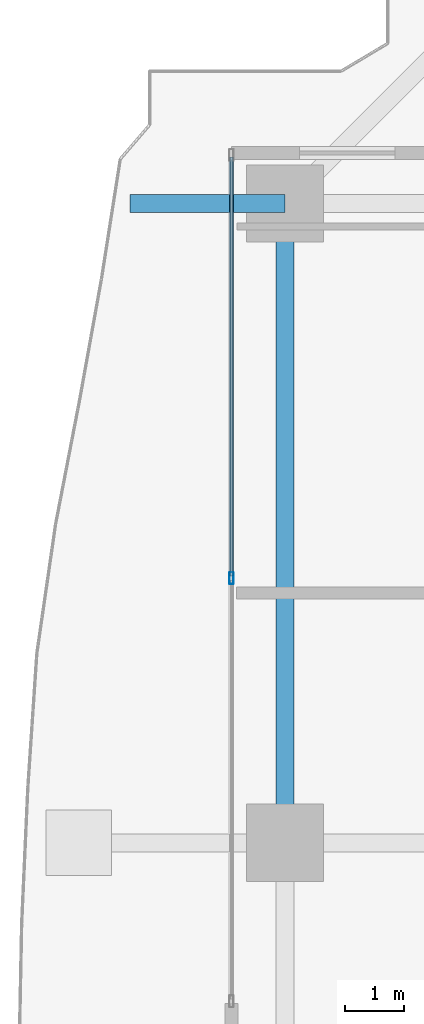
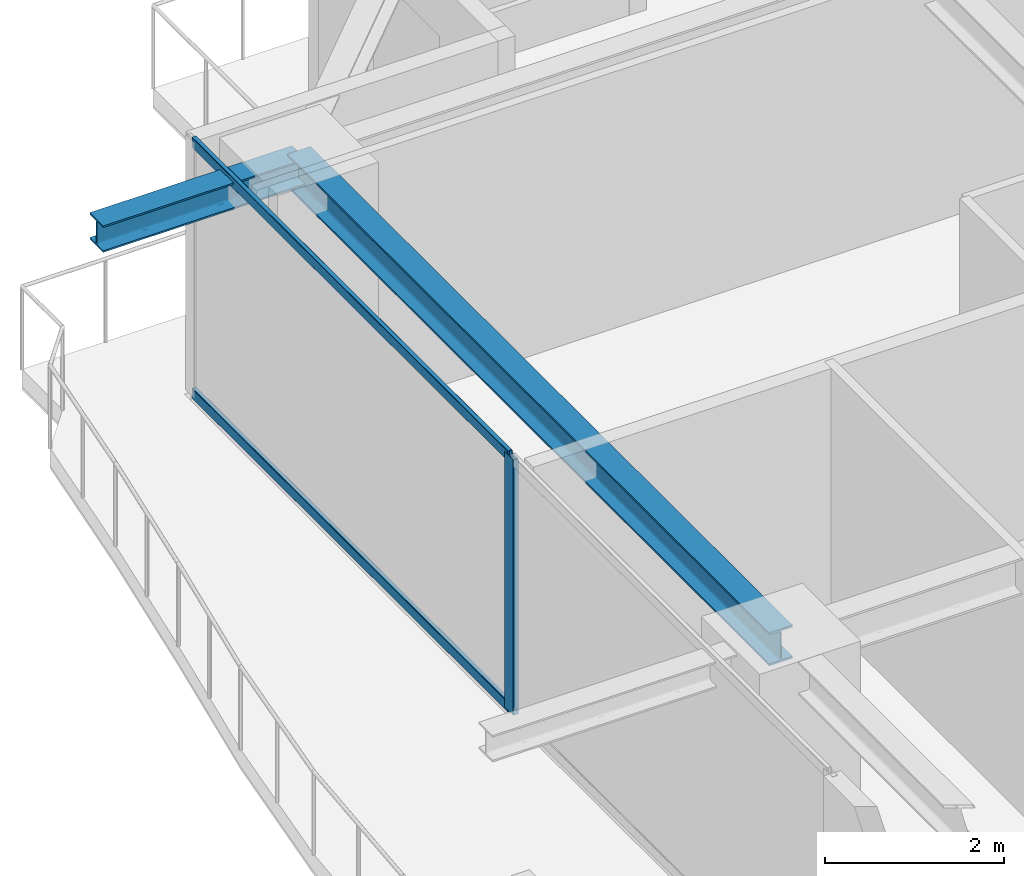
# One storey, part 17 of 39: 3 members, 2 beams, 1 element without a shape of its own.
"""IFC4 building model written with IfcOpenShell, lengths in metres."""

from ifc_helpers import new_model, si_unit, direction, frame, origin, origin_2d, place, context, subcontext, project, spatial, hollow_rectangle, i_section, extrude, source, transform, mapped, material, layer, layer_set, material_profile, profile_set, type_object, element, aggregate, save


model = new_model("IFC4")

# Units and contexts
model_context = context("Model", 3, precision=1e-05, world=origin(), true_north=direction((0.0, 1.0)))
body_context = subcontext(model_context, "Body", "Model", "MODEL_VIEW")
ifc_project = project(units=[si_unit("LENGTHUNIT", "METRE"), si_unit("AREAUNIT", "SQUARE_METRE"), si_unit("VOLUMEUNIT", "CUBIC_METRE"), si_unit("PLANEANGLEUNIT", "RADIAN"), si_unit("MASSUNIT", "GRAM", prefix="KILO")], contexts=[model_context])

# Site, building, storey
site_placement = place(None, origin())
site = spatial("IfcSite", under=ifc_project, at=site_placement, CompositionType="ELEMENT")
building_placement = place(site_placement, origin())
building = spatial("IfcBuilding", under=site, at=building_placement, Name="Serunith Strait Residences", CompositionType="ELEMENT")
storey_placement = place(building_placement, frame((0.0, 0.0, 168.89990234375)))
storey = spatial("IfcBuildingStorey", under=building, at=storey_placement, Name="L42", CompositionType="ELEMENT", Elevation=168.89990234375)

# Beams
ifc_material_1 = material(Name="Steel S355J2", Category="steel")
ifc_material_profile_1 = material_profile(ifc_material_1, i_section(OverallWidth=0.300048828125, OverallDepth=0.449951171875, WebThickness=0.013916015625, FlangeThickness=0.02587890625, FilletRadius=0.027099609375, at=origin_2d()), Name="HEB 450")
ifc_profile_set_1 = profile_set([ifc_material_profile_1], Name="Steel S355J2")
beam_type_1 = type_object("IfcBeamType", Name="BM-HEB450", PredefinedType="BEAM", material=ifc_profile_set_1)
shared_shape_1 = source(origin(), body_context, "Body", "SweptSolid", [
    extrude(i_section(OverallWidth=0.300048828125, OverallDepth=0.449951171875, WebThickness=0.013916015625, FlangeThickness=0.02587890625, FilletRadius=0.027099609375, at=origin_2d()), origin(), (0.0, 0.0, 1.0), 10.75),
])
beam_1_placement = place(storey_placement, frame((8.699951171875, 40.14990234375, 3.26220703125), z_axis=(0.0, -1.0, 0.0), x_axis=(1.0, 0.0, 0.0)))
element("IfcBeam", 1, at=beam_1_placement, inside=storey, type_object=beam_type_1, Name="L42 Perimeter Ring Beam 13", PredefinedType="BEAM", context=body_context, shape_type="MappedRepresentation", body=[
    mapped(shared_shape_1, transform((0.0, 0.0, 0.0), scale=1.0)),
])
ifc_material_profile_2 = material_profile(ifc_material_1, i_section(OverallWidth=0.300048828125, OverallDepth=0.360107421875, WebThickness=0.012451171875, FlangeThickness=0.0224609375, FilletRadius=0.027099609375, at=origin_2d()), Name="HEB 360")
ifc_profile_set_2 = profile_set([ifc_material_profile_2], Name="Steel S355J2")
beam_type_2 = type_object("IfcBeamType", Name="BM-HEB360", PredefinedType="BEAM", material=ifc_profile_set_2)
shared_shape_2 = source(origin(), body_context, "Body", "SweptSolid", [
    extrude(i_section(OverallWidth=0.300048828125, OverallDepth=0.360107421875, WebThickness=0.012451171875, FlangeThickness=0.0224609375, FilletRadius=0.027099609375, at=origin_2d()), origin(), (0.0, 0.0, 1.0), 2.606689453125),
])
beam_2_placement = place(storey_placement, frame((8.699951171875, 40.14990234375, 3.277099609375), z_axis=(-1.0, 0.0, 0.0), x_axis=(0.0, -1.0, 0.0)))
element("IfcBeam", 2, at=beam_2_placement, inside=storey, type_object=beam_type_2, Name="L43 Cantilevered Balcony Rib TC-W4", PredefinedType="BEAM", context=body_context, shape_type="MappedRepresentation", body=[
    mapped(shared_shape_2, transform((0.0, 0.0, 0.0), scale=1.0)),
])

# Curtain wall, members
ifc_material_2 = material(Name="Pale-Champagne Anodised Aluminium", Category="aluminium")
ifc_layer = layer(ifc_material_2, 0.199951171875, Name="Pale-Champagne Anodised Aluminium")
ifc_layer_set = layer_set([ifc_layer], Name="Pale-Champagne Anodised Aluminium")
curtain_wall_type = type_object("IfcCurtainWallType", Name="CW-SYS2", PredefinedType="NOTDEFINED", material=ifc_layer_set)
curtain_wall_placement = place(storey_placement, origin())
curtain_wall = element("IfcCurtainWall", 3, at=curtain_wall_placement, inside=storey, type_object=curtain_wall_type, Name="L42 W Unitised Fritted Curtain Wall", PredefinedType="NOTDEFINED")
ifc_material_profile_3 = material_profile(ifc_material_2, hollow_rectangle(XDim=0.070068359375, YDim=0.199951171875, WallThickness=0.00390625, InnerFilletRadius=0.006103515625, OuterFilletRadius=0.010009765625, at=origin_2d()), Name="ALU 200x70x4")
ifc_profile_set_3 = profile_set([ifc_material_profile_3], Name="Pale-Champagne Anodised Aluminium")
member_type_1 = type_object("IfcMemberType", Name="CW-SYS2-MULL", PredefinedType="MULLION", material=ifc_profile_set_3)
shared_shape_3 = source(origin(), body_context, "Body", "SweptSolid", [
    extrude(hollow_rectangle(XDim=0.070068359375, YDim=0.199951171875, WallThickness=0.00390625, InnerFilletRadius=0.006103515625, OuterFilletRadius=0.010009765625, at=origin_2d()), origin(), (0.0, 0.0, 1.0), 3.47509765625),
])
member_1_placement = place(storey_placement, frame((7.800048828125, 33.85009765625, 0.0), z_axis=(0.0, 0.0, 1.0), x_axis=(1.0, 0.0, 0.0)))
member_1 = element("IfcMember", 4, at=member_1_placement, type_object=member_type_1, Name="CW-2 mullion 2", PredefinedType="MULLION", context=body_context, shape_type="MappedRepresentation", body=[
    mapped(shared_shape_3, transform((0.0, 0.0, 0.0), scale=1.0)),
])
ifc_material_profile_4 = material_profile(ifc_material_2, hollow_rectangle(XDim=0.06005859375, YDim=0.139892578125, WallThickness=0.00341796875, InnerFilletRadius=0.00537109375, OuterFilletRadius=0.0087890625, at=origin_2d()), Name="ALU 140x60x3.5")
ifc_profile_set_4 = profile_set([ifc_material_profile_4], Name="Pale-Champagne Anodised Aluminium")
member_type_2 = type_object("IfcMemberType", Name="CW-SYS2-TRAN", PredefinedType="USERDEFINED", material=ifc_profile_set_4)
shared_shape_4 = source(origin(), body_context, "Body", "SweptSolid", [
    extrude(hollow_rectangle(XDim=0.06005859375, YDim=0.139892578125, WallThickness=0.00341796875, InnerFilletRadius=0.00537109375, OuterFilletRadius=0.0087890625, at=origin_2d()), origin(), (0.0, 0.0, 1.0), 7.044921875),
])
member_2_placement = place(storey_placement, frame((7.800048828125, 40.929931640625, 0.030029296875), z_axis=(0.0, -1.0, 0.0), x_axis=(1.0, 0.0, 0.0)))
member_2 = element("IfcMember", 5, at=member_2_placement, type_object=member_type_2, Name="CW-2 transom 1.1", ObjectType="TRANSOM", PredefinedType="USERDEFINED", context=body_context, shape_type="MappedRepresentation", body=[
    mapped(shared_shape_4, transform((0.0, 0.0, 0.0), scale=1.0)),
])
member_3_placement = place(storey_placement, frame((7.800048828125, 40.929931640625, 3.445068359375), z_axis=(0.0, -1.0, 0.0), x_axis=(1.0, 0.0, 0.0)))
member_3 = element("IfcMember", 6, at=member_3_placement, type_object=member_type_2, Name="CW-2 transom 1.2", ObjectType="TRANSOM", PredefinedType="USERDEFINED", context=body_context, shape_type="MappedRepresentation", body=[
    mapped(shared_shape_4, transform((0.0, 0.0, 0.0), scale=1.0)),
])
aggregate(curtain_wall, [member_1, member_2, member_3])

save(model, "model.ifc")
